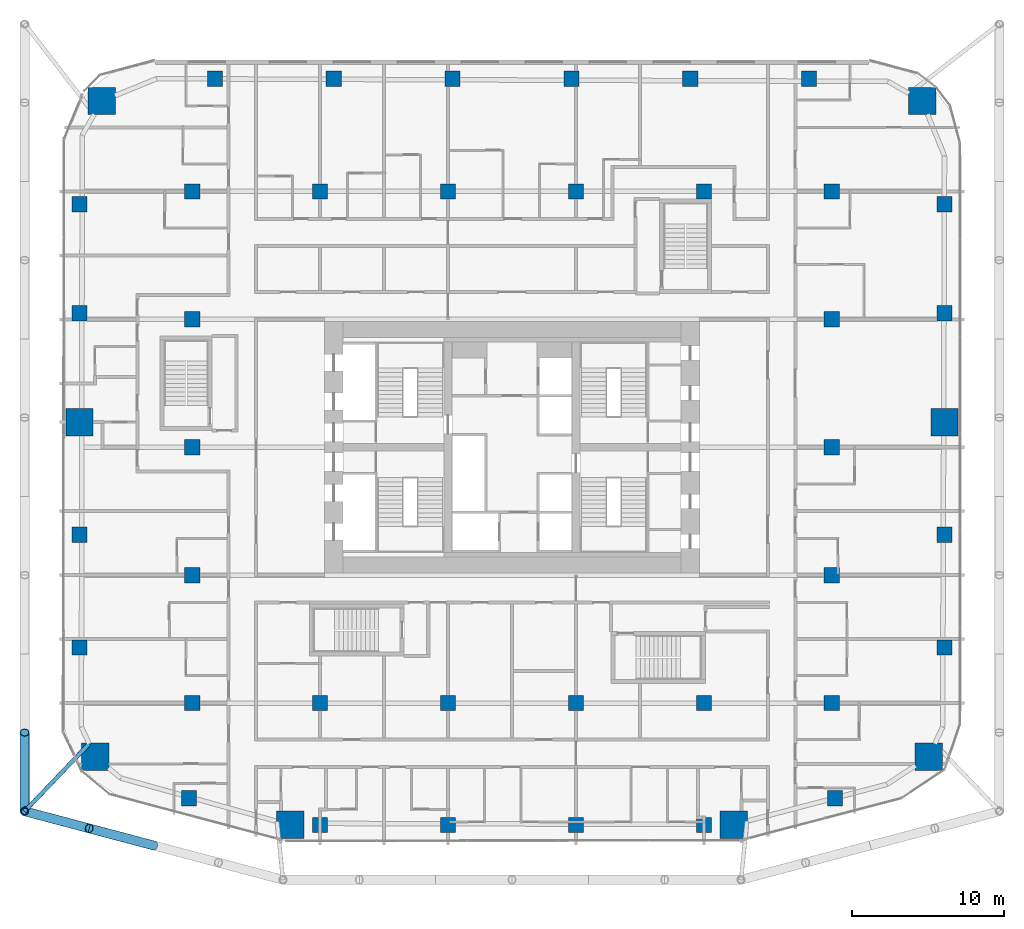
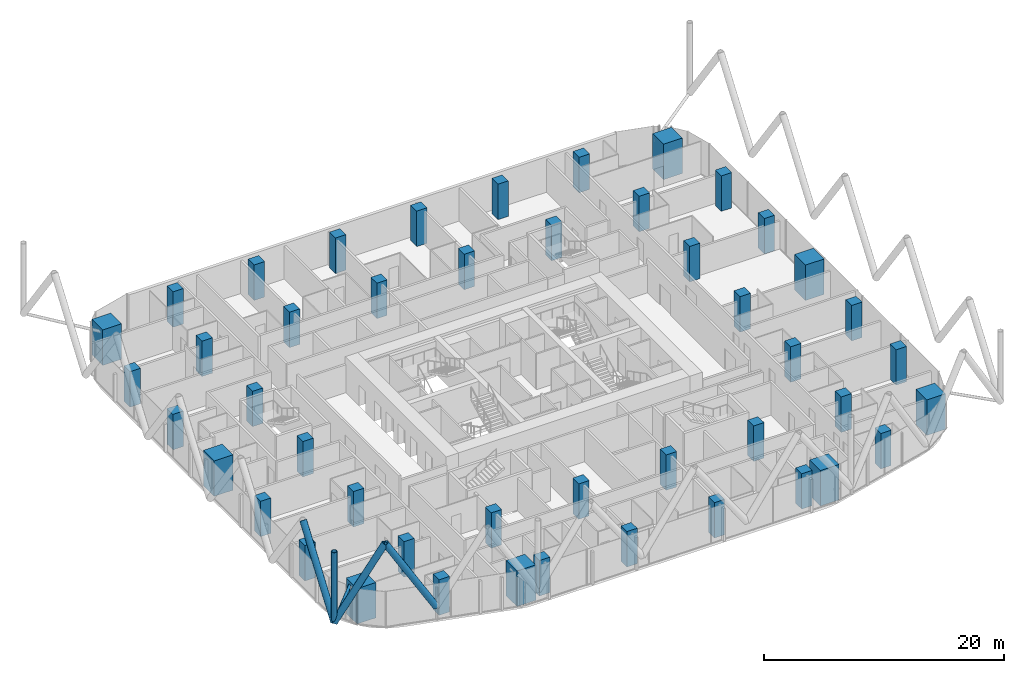
# One storey, part 1 of 35: 46 columns, 5 members.
"""IFC4 building model written with IfcOpenShell, lengths in metres."""

import ifcopenshell
import ifcopenshell.guid

model = None  # the IFC model being written
_history = None  # IfcOwnerHistory: only IFC2X3 demands one
_inside = {}  # id of a spatial element -> (the spatial element, [elements in it])
_under = {}  # id of a project, library or spatial element -> (it, [spatial elements below it])
_declared = {}  # id of a project -> (the project, [libraries it declares])
_typed = {}  # id of a type object -> (the type object, [elements of that type])
_made_of = {}  # id of a material, layer set ... -> (it, [elements and type objects made of it])


def new_model(schema):
    """Start an empty IFC model of exactly this schema.

    Asked for "IFC4X3", IfcOpenShell would pick the latest addendum, in which some entities
    have other attributes; the version numbers below select the first issue.
    IFC2X3 requires an IfcOwnerHistory on every rooted entity: one is made here for all.
    """
    global model, _history
    if schema == "IFC4X3":
        model = ifcopenshell.file(schema_version=(4, 3, 0, 0))
    else:
        model = ifcopenshell.file(schema=schema)
    _inside.clear()
    _under.clear()
    _declared.clear()
    _typed.clear()
    _made_of.clear()
    _history = None
    if model.schema == "IFC2X3":
        org = make("IfcOrganization", Name="unknown")
        user = make(
            "IfcPersonAndOrganization",
            ThePerson=make("IfcPerson", FamilyName="unknown"),
            TheOrganization=org,
        )
        app = make(
            "IfcApplication",
            ApplicationDeveloper=org,
            Version="unknown",
            ApplicationFullName="unknown",
            ApplicationIdentifier="unknown",
        )
        _history = make(
            "IfcOwnerHistory",
            OwningUser=user,
            OwningApplication=app,
            ChangeAction="ADDED",
            CreationDate=0,
        )
    return model


def make(cls, **values):
    """One entity of the class cls with the attributes given. An attribute that is None is left unset."""
    return model.create_entity(
        cls, **{name: value for name, value in values.items() if value is not None}
    )


def rooted(cls, **values):
    """An entity with a GlobalId (a new one), such as an element, a storey or a relation."""
    return make(cls, GlobalId=ifcopenshell.guid.new(), OwnerHistory=_history, **values)


def si_unit(unit_type, name, prefix=None):
    """IfcSIUnit, for example si_unit("LENGTHUNIT", "METRE", prefix="MILLI")."""
    return make("IfcSIUnit", UnitType=unit_type, Prefix=prefix, Name=name)


def assignment(units):
    """IfcUnitAssignment: the units of a project."""
    return None if units is None else make("IfcUnitAssignment", Units=units)


def point(xyz):
    """IfcCartesianPoint."""
    return None if xyz is None else make("IfcCartesianPoint", Coordinates=xyz)


def direction(xyz):
    """IfcDirection."""
    return None if xyz is None else make("IfcDirection", DirectionRatios=xyz)


def frame(location, z_axis=None, x_axis=None):
    """IfcAxis2Placement3D, a coordinate frame: its origin and axes. An axis left out is left unset."""
    return make(
        "IfcAxis2Placement3D",
        Location=point(location),
        Axis=direction(z_axis),
        RefDirection=direction(x_axis),
    )


def frame_2d(location, x_axis=None):
    """IfcAxis2Placement2D, a coordinate frame in the plane: its origin and x axis."""
    return make(
        "IfcAxis2Placement2D", Location=point(location), RefDirection=direction(x_axis)
    )


def origin():
    """The frame at (0, 0, 0) with its axes left unset."""
    return frame((0.0, 0.0, 0.0))


def origin_2d():
    """The frame at (0, 0) in the plane with its x axis left unset."""
    return frame_2d((0.0, 0.0))


def place(relative_to, where):
    """IfcLocalPlacement: puts the frame where relative to a parent placement (None: the world)."""
    return make(
        "IfcLocalPlacement", PlacementRelTo=relative_to, RelativePlacement=where
    )


def context(
    kind, dimensions, precision=None, world=None, true_north=None, identifier=None
):
    """IfcGeometricRepresentationContext, for example the 3D "Model" context."""
    return make(
        "IfcGeometricRepresentationContext",
        ContextIdentifier=identifier,
        ContextType=kind,
        CoordinateSpaceDimension=dimensions,
        Precision=precision,
        WorldCoordinateSystem=world,
        TrueNorth=true_north,
    )


def subcontext(parent, identifier, kind, view, scale=None):
    """IfcGeometricRepresentationSubContext, for example "Body" below "Model"."""
    return make(
        "IfcGeometricRepresentationSubContext",
        ContextIdentifier=identifier,
        ContextType=kind,
        ParentContext=parent,
        TargetScale=scale,
        TargetView=view,
    )


def project(units=None, contexts=None):
    """IfcProject with its units and contexts."""
    return rooted(
        "IfcProject",
        Name="project",
        RepresentationContexts=contexts,
        UnitsInContext=assignment(units),
    )


def spatial(cls, under=None, at=None, **own):
    """A site, building, storey or space (cls), placed at a placement, below another one or the project."""
    s = rooted(cls, ObjectPlacement=at, **own)
    if under is not None:
        _under.setdefault(under.id(), (under, []))[1].append(s)
    return s


def profile(cls, at=None, kind="AREA", **sizes):
    """A parametric profile (cls). Its sizes go by their IFC names, for example OverallWidth=200.0."""
    return make(cls, ProfileType=kind, Position=at, **sizes)


def rectangle(**sizes):
    """IfcRectangleProfileDef."""
    return profile("IfcRectangleProfileDef", **sizes)


def hollow_circle(**sizes):
    """IfcCircleHollowProfileDef."""
    return profile("IfcCircleHollowProfileDef", **sizes)


def extrude(swept, where, along, depth):
    """IfcExtrudedAreaSolid: the profile swept, set in the frame where, extruded along a direction by depth."""
    return make(
        "IfcExtrudedAreaSolid",
        SweptArea=swept,
        Position=where,
        ExtrudedDirection=direction(along),
        Depth=depth,
    )


def shape(context_of_items, identifier, shape_type, items):
    """IfcShapeRepresentation: the items that make up one representation, for example the "Body"."""
    return make(
        "IfcShapeRepresentation",
        ContextOfItems=context_of_items,
        RepresentationIdentifier=identifier,
        RepresentationType=shape_type,
        Items=items,
    )


def material(Name=None, Category=None):
    """IfcMaterial."""
    return make("IfcMaterial", Name=Name, Category=Category)


def material_profile(
    of_material, cross_section, Name=None, Category=None, Priority=None
):
    """IfcMaterialProfile: a cross section and its material."""
    return make(
        "IfcMaterialProfile",
        Name=Name,
        Material=of_material,
        Profile=cross_section,
        Priority=Priority,
        Category=Category,
    )


def profile_set(profiles, Name=None, composite=None):
    """IfcMaterialProfileSet."""
    return make(
        "IfcMaterialProfileSet",
        Name=Name,
        MaterialProfiles=profiles,
        CompositeProfile=composite,
    )


def made_of(thing, what):
    """Note that an element or type object is made of a material, layer set ...; save() writes the relation."""
    if what is not None:
        _made_of.setdefault(what.id(), (what, []))[1].append(thing)
    return thing


def type_object(cls, material=None, **own):
    """A type object (cls), such as IfcWallType, which elements share."""
    return made_of(rooted(cls, **own), material)


def element(
    cls,
    number,
    at=None,
    inside=None,
    cuts=None,
    type_object=None,
    material=None,
    context=None,
    identifier="Body",
    shape_type=None,
    held_by="IfcProductDefinitionShape",
    body=None,
    shapes=None,
    **own,
):
    """One element of the class cls, such as IfcWall. Its Tag is "e" and its number.

    at: its placement. inside: the storey or other place that contains it. cuts: it is an
    opening in that element (IfcRelVoidsElement). A single representation is given by context,
    identifier, shape_type and body (its items); several are given by shapes. held_by: the class
    of the entity that holds the representations. save() writes the other relations.
    """
    e = rooted(cls, Tag="e%d" % number, ObjectPlacement=at, **own)
    if body is not None:
        shapes = [shape(context, identifier, shape_type, body)]
    if shapes is not None:
        e.Representation = make(held_by, Representations=shapes)
    if inside is not None:
        _inside.setdefault(inside.id(), (inside, []))[1].append(e)
    if cuts is not None:
        rooted(
            "IfcRelVoidsElement", RelatingBuildingElement=cuts, RelatedOpeningElement=e
        )
    if type_object is not None:
        _typed.setdefault(type_object.id(), (type_object, []))[1].append(e)
    return made_of(e, material)


def aggregate(whole, parts):
    """IfcRelAggregates: a whole, such as a stair, and the parts it consists of."""
    return rooted("IfcRelAggregates", RelatingObject=whole, RelatedObjects=parts)


def save(model, path):
    """Write the relations noted so far, then the file.

    IfcRelAggregates (storeys below a building ...), IfcRelContainedInSpatialStructure (elements
    in a storey), IfcRelDefinesByType, IfcRelAssociatesMaterial and IfcRelDeclares: one each for
    every whole, place, type object, material and project.
    """
    for whole, parts in _under.values():
        aggregate(whole, parts)
    for where, things in _inside.values():
        rooted(
            "IfcRelContainedInSpatialStructure",
            RelatedElements=things,
            RelatingStructure=where,
        )
    for kind, things in _typed.values():
        rooted("IfcRelDefinesByType", RelatedObjects=things, RelatingType=kind)
    for what, things in _made_of.values():
        rooted("IfcRelAssociatesMaterial", RelatedObjects=things, RelatingMaterial=what)
    for by, libraries in _declared.values():
        rooted("IfcRelDeclares", RelatingContext=by, RelatedDefinitions=libraries)
    model.write(path)


model = new_model("IFC4")

# Units and contexts
model_context = context("Model", 3, precision=1e-05, world=origin(), true_north=direction((0.0, 1.0)))
body_context = subcontext(model_context, "Body", "Model", "MODEL_VIEW")
ifc_project = project(units=[si_unit("LENGTHUNIT", "METRE"), si_unit("AREAUNIT", "SQUARE_METRE"), si_unit("VOLUMEUNIT", "CUBIC_METRE"), si_unit("PLANEANGLEUNIT", "RADIAN"), si_unit("MASSUNIT", "GRAM", prefix="KILO")], contexts=[model_context])

# Site, building, storey
site_placement = place(None, origin())
site = spatial("IfcSite", under=ifc_project, at=site_placement, CompositionType="ELEMENT")
building_placement = place(site_placement, origin())
building = spatial("IfcBuilding", under=site, at=building_placement, Name="Marenta Gate Hotel Tower", CompositionType="ELEMENT")
storey_placement = place(building_placement, frame((0.0, 0.0, 61.699951171875)))
storey = spatial("IfcBuildingStorey", under=building, at=storey_placement, Name="L13", CompositionType="ELEMENT", Elevation=61.699951171875)

# Columns
ifc_material_1 = material(Name="Concrete C80", Category="concrete")
ifc_material_profile_1 = material_profile(ifc_material_1, rectangle(XDim=1.0, YDim=1.0, at=origin_2d()), Name="1000 x 1000")
ifc_profile_set_1 = profile_set([ifc_material_profile_1], Name="Concrete C80")
column_type_1 = type_object("IfcColumnType", Name="Edge column 1000 x 1000 C80", PredefinedType="COLUMN", material=ifc_profile_set_1)
for number, where, z_axis, x_axis, name in (
    (1, (-28.39990234375, -4.751953125, 0.0), (0.0, 0.0, 1.0), (1.0, 0.0, 0.0), "L13-EC-SW-W-1"),
    (2, (-28.39990234375, 2.649169921875, 0.0), (0.0, 0.0, 1.0), (1.0, 0.0, 0.0), "L13-EC-SW-W-2"),
    (3, (-28.39990234375, 17.203125, 0.0), (0.0, 0.0, 1.0), (1.0, 0.0, 0.0), "L13-EC-W-NW-1"),
    (4, (-28.39990234375, 24.3564453125, 0.0), (0.0, 0.0, 1.0), (1.0, 0.0, 0.0), "L13-EC-W-NW-2"),
    (5, (-19.5068359375, 32.60009765625, 0.0), (0.0, 0.0, 1.0), (1.0, 0.0, 0.0), "L13-EC-NW-NE-1"),
    (6, (-11.7041015625, 32.60009765625, 0.0), (0.0, 0.0, 1.0), (1.0, 0.0, 0.0), "L13-EC-NW-NE-2"),
    (7, (-3.9013671875, 32.60009765625, 0.0), (0.0, 0.0, 1.0), (1.0, 0.0, 0.0), "L13-EC-NW-NE-3"),
    (8, (3.9013671875, 32.60009765625, 0.0), (0.0, 0.0, 1.0), (1.0, 0.0, 0.0), "L13-EC-NW-NE-4"),
    (9, (11.7041015625, 32.60009765625, 0.0), (0.0, 0.0, 1.0), (1.0, 0.0, 0.0), "L13-EC-NW-NE-5"),
    (10, (19.5068359375, 32.60009765625, 0.0), (0.0, 0.0, 1.0), (1.0, 0.0, 0.0), "L13-EC-NW-NE-6"),
    (11, (28.39990234375, 24.3564453125, 0.0), (0.0, 0.0, 1.0), (1.0, 0.0, 0.0), "L13-EC-NE-E-1"),
    (12, (28.39990234375, 17.203125, 0.0), (0.0, 0.0, 1.0), (1.0, 0.0, 0.0), "L13-EC-NE-E-2"),
    (13, (28.39990234375, 2.649169921875, 0.0), (0.0, 0.0, 1.0), (1.0, 0.0, 0.0), "L13-EC-E-SE-1"),
    (14, (28.39990234375, -4.751953125, 0.0), (0.0, 0.0, 1.0), (1.0, 0.0, 0.0), "L13-EC-E-SE-2"),
    (15, (21.206787109375, -14.63916015625, 0.0), (0.0, 0.0, 1.0), (1.0, 0.0, 0.0), "L13-EC-SE-SKE-1"),
    (16, (12.60009765625, -16.39990234375, 0.0), (0.0, 0.0, 1.0), (1.0, 0.0, 0.0), "L13-EC-SKE-SKW-1"),
    (17, (4.199951171875, -16.39990234375, 0.0), (0.0, 0.0, 1.0), (1.0, 0.0, 0.0), "L13-EC-SKE-SKW-2"),
    (18, (-4.199951171875, -16.39990234375, 0.0), (0.0, 0.0, 1.0), (1.0, 0.0, 0.0), "L13-EC-SKE-SKW-3"),
    (19, (-12.60009765625, -16.39990234375, 0.0), (0.0, 0.0, 1.0), (1.0, 0.0, 0.0), "L13-EC-SKE-SKW-4"),
    (20, (-21.206787109375, -14.63916015625, 0.0), (0.0, 0.0, 1.0), (1.0, 0.0, 0.0), "L13-EC-SKW-SW-1"),
):
    element("IfcColumn", number, at=place(storey_placement, frame(where, z_axis=z_axis, x_axis=x_axis)), inside=storey, type_object=column_type_1, Name=name, PredefinedType="COLUMN", context=body_context, shape_type="SweptSolid", body=[
        extrude(rectangle(XDim=1.0, YDim=1.0, at=origin_2d()), origin(), (0.0, 0.0, 1.0), 3.60009765625),
    ])
ifc_material_2 = material(Name="Concrete C80", Category="concrete")
ifc_material_profile_2 = material_profile(ifc_material_2, rectangle(XDim=1.0, YDim=1.0, at=origin_2d()), Name="1000 x 1000")
ifc_profile_set_2 = profile_set([ifc_material_profile_2], Name="Concrete C80")
column_type_2 = type_object("IfcColumnType", Name="Interior column 1000 x 1000 C80", PredefinedType="COLUMN", material=ifc_profile_set_2)
for number, where, z_axis, x_axis, name in (
    (21, (-21.0, -8.39990234375, 0.0), (0.0, 0.0, 1.0), (1.0, 0.0, 0.0), "L13-IC-4E"),
    (22, (-21.0, 0.0, 0.0), (0.0, 0.0, 1.0), (1.0, 0.0, 0.0), "L13-IC-4F"),
    (23, (-21.0, 8.39990234375, 0.0), (0.0, 0.0, 1.0), (1.0, 0.0, 0.0), "L13-IC-4G"),
    (24, (-21.0, 16.800048828125, 0.0), (0.0, 0.0, 1.0), (1.0, 0.0, 0.0), "L13-IC-4H"),
    (25, (-21.0, 25.199951171875, 0.0), (0.0, 0.0, 1.0), (1.0, 0.0, 0.0), "L13-IC-4I"),
    (26, (-12.60009765625, -8.39990234375, 0.0), (0.0, 0.0, 1.0), (1.0, 0.0, 0.0), "L13-IC-5E"),
    (27, (-12.60009765625, 25.199951171875, 0.0), (0.0, 0.0, 1.0), (1.0, 0.0, 0.0), "L13-IC-5I"),
    (28, (-4.199951171875, -8.39990234375, 0.0), (0.0, 0.0, 1.0), (1.0, 0.0, 0.0), "L13-IC-6E"),
    (29, (-4.199951171875, 25.199951171875, 0.0), (0.0, 0.0, 1.0), (1.0, 0.0, 0.0), "L13-IC-6I"),
    (30, (4.199951171875, -8.39990234375, 0.0), (0.0, 0.0, 1.0), (1.0, 0.0, 0.0), "L13-IC-7E"),
    (31, (4.199951171875, 25.199951171875, 0.0), (0.0, 0.0, 1.0), (1.0, 0.0, 0.0), "L13-IC-7I"),
    (32, (12.60009765625, -8.39990234375, 0.0), (0.0, 0.0, 1.0), (1.0, 0.0, 0.0), "L13-IC-8E"),
    (33, (12.60009765625, 25.199951171875, 0.0), (0.0, 0.0, 1.0), (1.0, 0.0, 0.0), "L13-IC-8I"),
    (34, (21.0, -8.39990234375, 0.0), (0.0, 0.0, 1.0), (1.0, 0.0, 0.0), "L13-IC-9E"),
    (35, (21.0, 0.0, 0.0), (0.0, 0.0, 1.0), (1.0, 0.0, 0.0), "L13-IC-9F"),
    (36, (21.0, 8.39990234375, 0.0), (0.0, 0.0, 1.0), (1.0, 0.0, 0.0), "L13-IC-9G"),
    (37, (21.0, 16.800048828125, 0.0), (0.0, 0.0, 1.0), (1.0, 0.0, 0.0), "L13-IC-9H"),
    (38, (21.0, 25.199951171875, 0.0), (0.0, 0.0, 1.0), (1.0, 0.0, 0.0), "L13-IC-9I"),
):
    element("IfcColumn", number, at=place(storey_placement, frame(where, z_axis=z_axis, x_axis=x_axis)), inside=storey, type_object=column_type_2, Name=name, PredefinedType="COLUMN", context=body_context, shape_type="SweptSolid", body=[
        extrude(rectangle(XDim=1.0, YDim=1.0, at=origin_2d()), origin(), (0.0, 0.0, 1.0), 3.60009765625),
    ])
ifc_material_3 = material(Name="Concrete C80", Category="concrete")
ifc_material_profile_3 = material_profile(ifc_material_3, rectangle(XDim=1.800048828125, YDim=1.800048828125, at=origin_2d()), Name="1800 x 1800")
ifc_profile_set_3 = profile_set([ifc_material_profile_3], Name="Concrete C80")
column_type_3 = type_object("IfcColumnType", Name="Mega column 1800 x 1800 C80", PredefinedType="COLUMN", material=ifc_profile_set_3)
for number, where, z_axis, x_axis, name in (
    (39, (-27.363037109375, -11.93310546875, 0.0), (0.0, 0.0, 1.0), (1.0, 0.0, 0.0), "L13-MC-SW"),
    (40, (-14.56640625, -16.374755859375, 0.0), (0.0, 0.0, 1.0), (1.0, 0.0, 0.0), "L13-MC-SKW"),
    (41, (14.56640625, -16.374755859375, 0.0), (0.0, 0.0, 1.0), (1.0, 0.0, 0.0), "L13-MC-SKE"),
    (42, (27.363037109375, -11.93310546875, 0.0), (0.0, 0.0, 1.0), (1.0, 0.0, 0.0), "L13-MC-SE"),
    (43, (28.39990234375, 10.050048828125, 0.0), (0.0, 0.0, 1.0), (1.0, 0.0, 0.0), "L13-MC-E"),
    (44, (26.935546875, 31.135498046875, 0.0), (0.0, 0.0, 1.0), (1.0, 0.0, 0.0), "L13-MC-NE"),
    (45, (-26.935546875, 31.135498046875, 0.0), (0.0, 0.0, 1.0), (1.0, 0.0, 0.0), "L13-MC-NW"),
    (46, (-28.39990234375, 10.050048828125, 0.0), (0.0, 0.0, 1.0), (1.0, 0.0, 0.0), "L13-MC-W"),
):
    element("IfcColumn", number, at=place(storey_placement, frame(where, z_axis=z_axis, x_axis=x_axis)), inside=storey, type_object=column_type_3, Name=name, PredefinedType="COLUMN", context=body_context, shape_type="SweptSolid", body=[
        extrude(rectangle(XDim=1.800048828125, YDim=1.800048828125, at=origin_2d()), origin(), (0.0, 0.0, 1.0), 3.60009765625),
    ])

# Members
ifc_material_4 = material(Name="Steel S355J2W", Category="steel")
ifc_material_profile_4 = material_profile(ifc_material_4, hollow_circle(Radius=0.25390625, WallThickness=0.0400390625, at=origin_2d()), Name="CHS 508x40")
ifc_profile_set_4 = profile_set([ifc_material_profile_4], Name="Steel S355J2W")
member_type_1 = type_object("IfcMemberType", Name="Diagrid corner post Z1 CHS 508x40", PredefinedType="POST", material=ifc_profile_set_4)
member_1_placement = place(storey_placement, frame((-32.0, -15.500244140625, 3.14013671875), z_axis=(0.0, 0.0, 1.0), x_axis=(1.0, 0.0, 0.0)))
element("IfcMember", 47, at=member_1_placement, inside=storey, type_object=member_type_1, Name="L13-DR-5", PredefinedType="POST", context=body_context, shape_type="SweptSolid", body=[
    extrude(hollow_circle(Radius=0.25390625, WallThickness=0.0400390625, at=origin_2d()), origin(), (0.0, 0.0, 1.0), 7.199951171875),
])
ifc_material_5 = material(Name="Steel S355J2W", Category="steel")
ifc_material_profile_5 = material_profile(ifc_material_5, hollow_circle(Radius=0.304931640625, WallThickness=0.0400390625, at=origin_2d()), Name="CHS 610x40")
ifc_profile_set_5 = profile_set([ifc_material_profile_5], Name="Steel S355J2W")
member_type_2 = type_object("IfcMemberType", Name="Diagrid diagonal Z1 CHS 610x40", PredefinedType="BRACE", material=ifc_profile_set_5)
for number, where, z_axis, x_axis, name in (
    (48, (-23.51953125, -17.75, 3.14013671875), (-0.502924018666, 0.133433548941, 0.853968921838), (-0.256443187528, -0.96655930577, 0.0), "L13-DG-23"),
    (49, (-32.0, -15.500244140625, 3.14013671875), (0.502925961678, -0.133405107407, 0.853972221087), (0.256391194513, 0.966573098827, 0.0), "L13-DG-24"),
):
    element("IfcMember", number, at=place(storey_placement, frame(where, z_axis=z_axis, x_axis=x_axis)), inside=storey, type_object=member_type_2, Name=name, PredefinedType="BRACE", context=body_context, shape_type="SweptSolid", body=[
        extrude(hollow_circle(Radius=0.304931640625, WallThickness=0.0400390625, at=origin_2d()), origin(), (0.0, 0.0, 1.0), 8.43115234375),
    ])
member_2_placement = place(storey_placement, frame((-32.0, -15.500244140625, 3.14013671875), z_axis=(0.0, 0.583279014058, 0.812271870595), x_axis=(-1.0, 0.0, 0.0)))
element("IfcMember", 50, at=member_2_placement, inside=storey, type_object=member_type_2, Name="L13-DG-25", PredefinedType="BRACE", context=body_context, shape_type="SweptSolid", body=[
    extrude(hollow_circle(Radius=0.304931640625, WallThickness=0.0400390625, at=origin_2d()), origin(), (0.0, 0.0, 1.0), 8.864013671875),
])
ifc_material_6 = material(Name="Steel S355J2W", Category="steel")
ifc_material_profile_6 = material_profile(ifc_material_6, hollow_circle(Radius=0.136474609375, WallThickness=0.012451171875, at=origin_2d()), Name="CHS 273x12.5")
ifc_profile_set_6 = profile_set([ifc_material_profile_6], Name="Steel S355J2W")
member_type_3 = type_object("IfcMemberType", Name="Floor tie CHS 273x12.5", PredefinedType="STRUT", material=ifc_profile_set_6)
member_3_placement = place(storey_placement, frame((-32.0, -15.500244140625, 3.14013671875), z_axis=(0.691351135911, 0.722518931845, 0.0), x_axis=(-0.722518931845, 0.691351135911, 0.0)))
element("IfcMember", 51, at=member_3_placement, inside=storey, type_object=member_type_3, Name="L13-DR-11", PredefinedType="STRUT", context=body_context, shape_type="SweptSolid", body=[
    extrude(hollow_circle(Radius=0.136474609375, WallThickness=0.012451171875, at=origin_2d()), origin(), (0.0, 0.0, 1.0), 6.12548828125),
])

save(model, "model.ifc")
